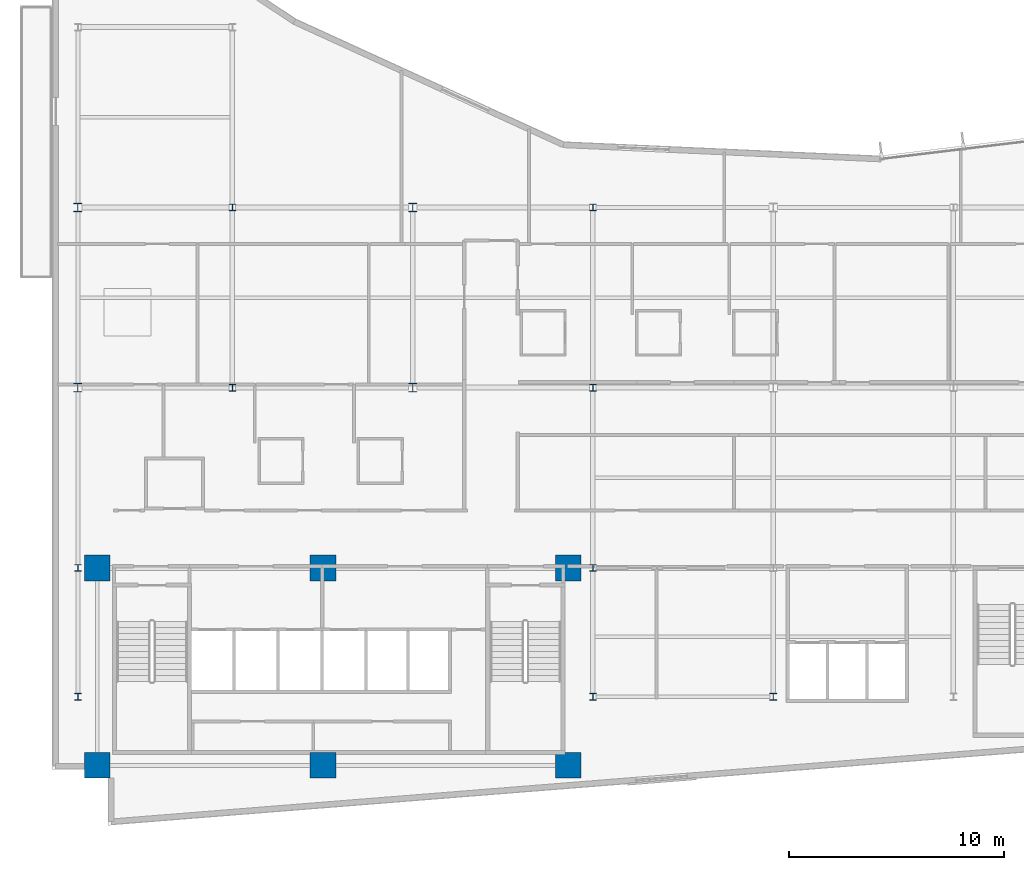
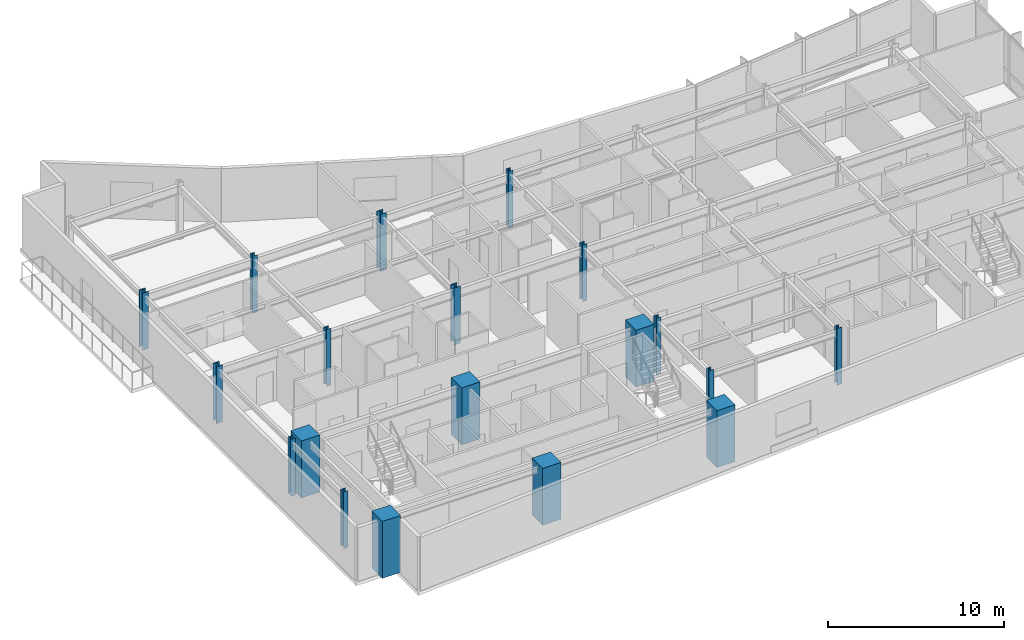
# One storey, part 1 of 19: 19 columns.
"""IFC4 building model written with IfcOpenShell, lengths in metres."""

from ifc_helpers import new_model, si_unit, direction, frame, origin, origin_2d, place, context, subcontext, project, spatial, rectangle, i_section, extrude, material, material_profile, profile_set, type_object, element, save


model = new_model("IFC4")

# Units and contexts
model_context = context("Model", 3, precision=1e-05, world=origin(), true_north=direction((0.0, 1.0)))
body_context = subcontext(model_context, "Body", "Model", "MODEL_VIEW")
ifc_project = project(units=[si_unit("LENGTHUNIT", "METRE"), si_unit("AREAUNIT", "SQUARE_METRE"), si_unit("VOLUMEUNIT", "CUBIC_METRE"), si_unit("PLANEANGLEUNIT", "RADIAN"), si_unit("MASSUNIT", "GRAM", prefix="KILO")], contexts=[model_context])

# Site, building, storey
site_placement = place(None, origin())
site = spatial("IfcSite", under=ifc_project, at=site_placement, CompositionType="ELEMENT")
building_placement = place(site_placement, origin())
building = spatial("IfcBuilding", under=site, at=building_placement, Name="Varnakote Quay Hospital", CompositionType="ELEMENT")
storey_placement = place(building_placement, frame((0.0, 0.0, 162.60009765625)))
storey = spatial("IfcBuildingStorey", under=building, at=storey_placement, Name="L40", CompositionType="ELEMENT", Elevation=162.60009765625)

# Columns
ifc_material_1 = material(Name="Concrete N80 (f'c 80 MPa)", Category="concrete")
ifc_material_profile_1 = material_profile(ifc_material_1, rectangle(XDim=1.199951171875, YDim=1.199951171875, at=origin_2d()), Name="RC-COL-1200x1200")
ifc_profile_set_1 = profile_set([ifc_material_profile_1], Name="Concrete N80 (f'c 80 MPa)")
column_type_1 = type_object("IfcColumnType", Name="COL-RC-1200", PredefinedType="COLUMN", material=ifc_profile_set_1)
for number, where, z_axis, x_axis, name in (
    (1, (2.10009765625, 2.800048828125, 0.0), (0.0, 0.0, 1.0), (1.0, 0.0, 0.0), "L40 Structural Column C-2-3"),
    (2, (12.6201171875, 2.800048828125, 0.0), (0.0, 0.0, 1.0), (1.0, 0.0, 0.0), "L40 Structural Column C-13-3"),
    (3, (24.050048828125, 2.800048828125, 0.0), (0.0, 0.0, 1.0), (1.0, 0.0, 0.0), "L40 Structural Column C-24-3"),
    (4, (2.10009765625, 12.0, 0.0), (0.0, 0.0, 1.0), (1.0, 0.0, 0.0), "L40 Structural Column C-2-12"),
    (5, (12.6201171875, 12.0, 0.0), (0.0, 0.0, 1.0), (1.0, 0.0, 0.0), "L40 Structural Column C-13-12"),
    (6, (24.050048828125, 12.0, 0.0), (0.0, 0.0, 1.0), (1.0, 0.0, 0.0), "L40 Structural Column C-24-12"),
):
    element("IfcColumn", number, at=place(storey_placement, frame(where, z_axis=z_axis, x_axis=x_axis)), inside=storey, type_object=column_type_1, Name=name, PredefinedType="COLUMN", context=body_context, shape_type="SweptSolid", body=[
        extrude(rectangle(XDim=1.199951171875, YDim=1.199951171875, at=origin_2d()), origin(), (0.0, 0.0, 1.0), 3.949951171875),
    ])
ifc_material_2 = material(Name="Structural steel AS/NZS 3679.1 Grade 350 L0 (fy 340 MPa)", Category="steel")
ifc_material_profile_2 = material_profile(ifc_material_2, i_section(OverallWidth=0.306884765625, OverallDepth=0.31494140625, WebThickness=0.011962890625, FlangeThickness=0.018798828125, FilletRadius=0.0166015625, at=origin_2d()), Name="310UC118")
ifc_profile_set_2 = profile_set([ifc_material_profile_2], Name="Structural steel AS/NZS 3679.1 Grade 350 L0 (fy 340 MPa)")
column_type_2 = type_object("IfcColumnType", Name="COL-STL-310UC118", PredefinedType="COLUMN", material=ifc_profile_set_2)
for number, where, z_axis, x_axis, name in (
    (7, (1.199951171875, 6.0, 0.0), (0.0, 0.0, 1.0), (1.0, 0.0, 0.0), "L40 Structural Column C-1-6"),
    (8, (25.199951171875, 6.0, 0.0), (0.0, 0.0, 1.0), (1.0, 0.0, 0.0), "L40 Structural Column C-25-6"),
    (9, (33.60009765625, 6.0, 0.0), (0.0, 0.0, 1.0), (1.0, 0.0, 0.0), "L40 Structural Column C-34-6"),
    (10, (1.199951171875, 12.0, 0.0), (0.0, 0.0, 1.0), (1.0, 0.0, 0.0), "L40 Structural Column C-1-12"),
    (11, (25.199951171875, 12.0, 0.0), (0.0, 0.0, 1.0), (1.0, 0.0, 0.0), "L40 Structural Column C-25-12"),
    (12, (8.39990234375, 20.39990234375, 0.0), (0.0, 0.0, 1.0), (1.0, 0.0, 0.0), "L40 Structural Column C-8-20"),
    (13, (25.199951171875, 20.39990234375, 0.0), (0.0, 0.0, 1.0), (1.0, 0.0, 0.0), "L40 Structural Column C-25-20"),
    (14, (8.39990234375, 28.800048828125, 0.0), (0.0, 0.0, 1.0), (1.0, 0.0, 0.0), "L40 Structural Column C-8-29"),
    (15, (25.199951171875, 28.800048828125, 0.0), (0.0, 0.0, 1.0), (1.0, 0.0, 0.0), "L40 Structural Column C-25-29"),
):
    element("IfcColumn", number, at=place(storey_placement, frame(where, z_axis=z_axis, x_axis=x_axis)), inside=storey, type_object=column_type_2, Name=name, PredefinedType="COLUMN", context=body_context, shape_type="SweptSolid", body=[
        extrude(i_section(OverallWidth=0.306884765625, OverallDepth=0.31494140625, WebThickness=0.011962890625, FlangeThickness=0.018798828125, FilletRadius=0.0166015625, at=origin_2d()), origin(), (0.0, 0.0, 1.0), 3.949951171875),
    ])
ifc_material_3 = material(Name="Structural steel AS/NZS 3678 Grade 350 (fy 340 MPa)", Category="steel")
ifc_material_profile_3 = material_profile(ifc_material_3, i_section(OverallWidth=0.39990234375, OverallDepth=0.419921875, WebThickness=0.02490234375, FlangeThickness=0.0400390625, at=origin_2d()), Name="400WC328")
ifc_profile_set_3 = profile_set([ifc_material_profile_3], Name="Structural steel AS/NZS 3678 Grade 350 (fy 340 MPa)")
column_type_3 = type_object("IfcColumnType", Name="COL-STL-400WC328", PredefinedType="COLUMN", material=ifc_profile_set_3)
for number, where, z_axis, x_axis, name in (
    (16, (1.199951171875, 20.39990234375, 0.0), (0.0, 0.0, 1.0), (1.0, 0.0, 0.0), "L40 Structural Column C-1-20"),
    (17, (16.800048828125, 20.39990234375, 0.0), (0.0, 0.0, 1.0), (1.0, 0.0, 0.0), "L40 Structural Column C-17-20"),
    (18, (1.199951171875, 28.800048828125, 0.0), (0.0, 0.0, 1.0), (1.0, 0.0, 0.0), "L40 Structural Column C-1-29"),
    (19, (16.800048828125, 28.800048828125, 0.0), (0.0, 0.0, 1.0), (1.0, 0.0, 0.0), "L40 Structural Column C-17-29"),
):
    element("IfcColumn", number, at=place(storey_placement, frame(where, z_axis=z_axis, x_axis=x_axis)), inside=storey, type_object=column_type_3, Name=name, PredefinedType="COLUMN", context=body_context, shape_type="SweptSolid", body=[
        extrude(i_section(OverallWidth=0.39990234375, OverallDepth=0.419921875, WebThickness=0.02490234375, FlangeThickness=0.0400390625, at=origin_2d()), origin(), (0.0, 0.0, 1.0), 3.949951171875),
    ])

save(model, "model.ifc")
